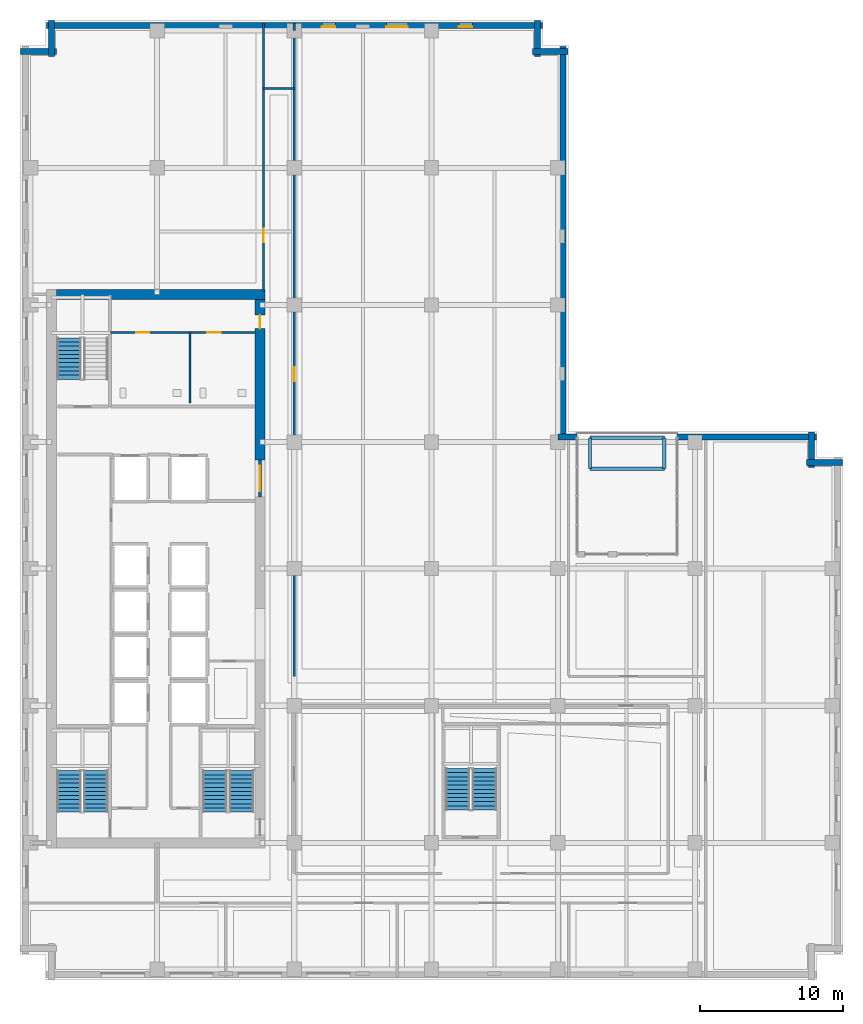
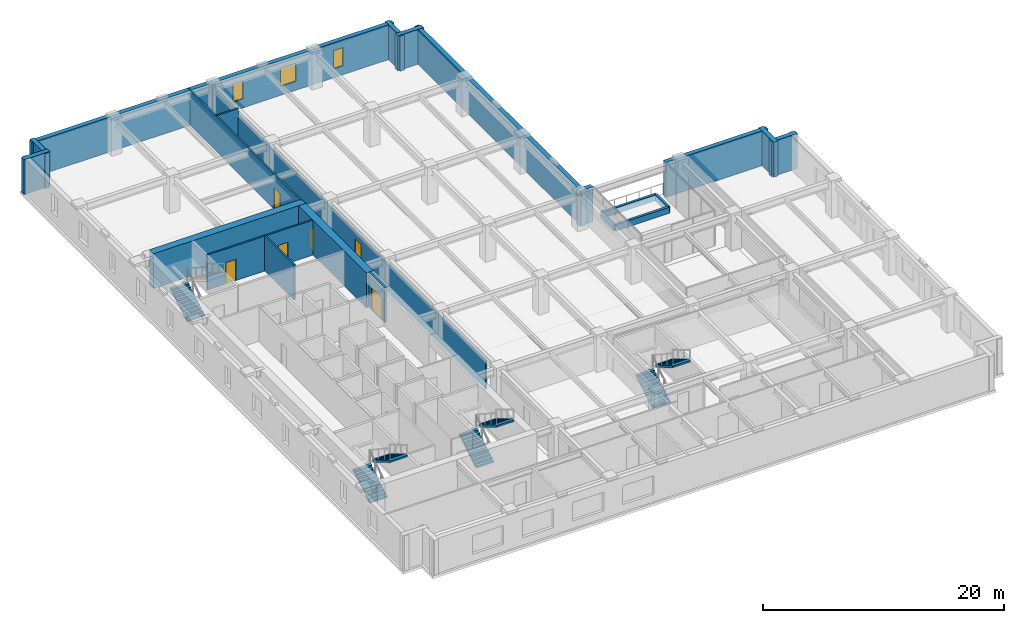
# One storey, part 7 of 16: 23 walls, 7 stair flights, 6 doors, 3 windows, 9 openings, 4 elements without a shape of their own.
"""IFC4 building model written with IfcOpenShell, lengths in metres."""

import ifcopenshell
import ifcopenshell.guid

model = None  # the IFC model being written
_history = None  # IfcOwnerHistory: only IFC2X3 demands one
_inside = {}  # id of a spatial element -> (the spatial element, [elements in it])
_under = {}  # id of a project, library or spatial element -> (it, [spatial elements below it])
_declared = {}  # id of a project -> (the project, [libraries it declares])
_typed = {}  # id of a type object -> (the type object, [elements of that type])
_made_of = {}  # id of a material, layer set ... -> (it, [elements and type objects made of it])


def new_model(schema):
    """Start an empty IFC model of exactly this schema.

    Asked for "IFC4X3", IfcOpenShell would pick the latest addendum, in which some entities
    have other attributes; the version numbers below select the first issue.
    IFC2X3 requires an IfcOwnerHistory on every rooted entity: one is made here for all.
    """
    global model, _history
    if schema == "IFC4X3":
        model = ifcopenshell.file(schema_version=(4, 3, 0, 0))
    else:
        model = ifcopenshell.file(schema=schema)
    _inside.clear()
    _under.clear()
    _declared.clear()
    _typed.clear()
    _made_of.clear()
    _history = None
    if model.schema == "IFC2X3":
        org = make("IfcOrganization", Name="unknown")
        user = make(
            "IfcPersonAndOrganization",
            ThePerson=make("IfcPerson", FamilyName="unknown"),
            TheOrganization=org,
        )
        app = make(
            "IfcApplication",
            ApplicationDeveloper=org,
            Version="unknown",
            ApplicationFullName="unknown",
            ApplicationIdentifier="unknown",
        )
        _history = make(
            "IfcOwnerHistory",
            OwningUser=user,
            OwningApplication=app,
            ChangeAction="ADDED",
            CreationDate=0,
        )
    return model


def make(cls, **values):
    """One entity of the class cls with the attributes given. An attribute that is None is left unset."""
    return model.create_entity(
        cls, **{name: value for name, value in values.items() if value is not None}
    )


def rooted(cls, **values):
    """An entity with a GlobalId (a new one), such as an element, a storey or a relation."""
    return make(cls, GlobalId=ifcopenshell.guid.new(), OwnerHistory=_history, **values)


def si_unit(unit_type, name, prefix=None):
    """IfcSIUnit, for example si_unit("LENGTHUNIT", "METRE", prefix="MILLI")."""
    return make("IfcSIUnit", UnitType=unit_type, Prefix=prefix, Name=name)


def assignment(units):
    """IfcUnitAssignment: the units of a project."""
    return None if units is None else make("IfcUnitAssignment", Units=units)


def point(xyz):
    """IfcCartesianPoint."""
    return None if xyz is None else make("IfcCartesianPoint", Coordinates=xyz)


def direction(xyz):
    """IfcDirection."""
    return None if xyz is None else make("IfcDirection", DirectionRatios=xyz)


def frame(location, z_axis=None, x_axis=None):
    """IfcAxis2Placement3D, a coordinate frame: its origin and axes. An axis left out is left unset."""
    return make(
        "IfcAxis2Placement3D",
        Location=point(location),
        Axis=direction(z_axis),
        RefDirection=direction(x_axis),
    )


def frame_2d(location, x_axis=None):
    """IfcAxis2Placement2D, a coordinate frame in the plane: its origin and x axis."""
    return make(
        "IfcAxis2Placement2D", Location=point(location), RefDirection=direction(x_axis)
    )


def origin():
    """The frame at (0, 0, 0) with its axes left unset."""
    return frame((0.0, 0.0, 0.0))


def place(relative_to, where):
    """IfcLocalPlacement: puts the frame where relative to a parent placement (None: the world)."""
    return make(
        "IfcLocalPlacement", PlacementRelTo=relative_to, RelativePlacement=where
    )


def context(
    kind, dimensions, precision=None, world=None, true_north=None, identifier=None
):
    """IfcGeometricRepresentationContext, for example the 3D "Model" context."""
    return make(
        "IfcGeometricRepresentationContext",
        ContextIdentifier=identifier,
        ContextType=kind,
        CoordinateSpaceDimension=dimensions,
        Precision=precision,
        WorldCoordinateSystem=world,
        TrueNorth=true_north,
    )


def subcontext(parent, identifier, kind, view, scale=None):
    """IfcGeometricRepresentationSubContext, for example "Body" below "Model"."""
    return make(
        "IfcGeometricRepresentationSubContext",
        ContextIdentifier=identifier,
        ContextType=kind,
        ParentContext=parent,
        TargetScale=scale,
        TargetView=view,
    )


def project(units=None, contexts=None):
    """IfcProject with its units and contexts."""
    return rooted(
        "IfcProject",
        Name="project",
        RepresentationContexts=contexts,
        UnitsInContext=assignment(units),
    )


def spatial(cls, under=None, at=None, **own):
    """A site, building, storey or space (cls), placed at a placement, below another one or the project."""
    s = rooted(cls, ObjectPlacement=at, **own)
    if under is not None:
        _under.setdefault(under.id(), (under, []))[1].append(s)
    return s


def polyline(points):
    """IfcPolyline through the points."""
    return make("IfcPolyline", Points=[point(p) for p in points])


def profile(cls, at=None, kind="AREA", **sizes):
    """A parametric profile (cls). Its sizes go by their IFC names, for example OverallWidth=200.0."""
    return make(cls, ProfileType=kind, Position=at, **sizes)


def rectangle(**sizes):
    """IfcRectangleProfileDef."""
    return profile("IfcRectangleProfileDef", **sizes)


def outline(outer, holes=None, kind="AREA"):
    """IfcArbitraryClosedProfileDef: a profile drawn as a closed curve; with holes, ...WithVoids."""
    if holes is None:
        return make("IfcArbitraryClosedProfileDef", ProfileType=kind, OuterCurve=outer)
    return make(
        "IfcArbitraryProfileDefWithVoids",
        ProfileType=kind,
        OuterCurve=outer,
        InnerCurves=holes,
    )


def extrude(swept, where, along, depth):
    """IfcExtrudedAreaSolid: the profile swept, set in the frame where, extruded along a direction by depth."""
    return make(
        "IfcExtrudedAreaSolid",
        SweptArea=swept,
        Position=where,
        ExtrudedDirection=direction(along),
        Depth=depth,
    )


def shape(context_of_items, identifier, shape_type, items):
    """IfcShapeRepresentation: the items that make up one representation, for example the "Body"."""
    return make(
        "IfcShapeRepresentation",
        ContextOfItems=context_of_items,
        RepresentationIdentifier=identifier,
        RepresentationType=shape_type,
        Items=items,
    )


def material(Name=None, Category=None):
    """IfcMaterial."""
    return make("IfcMaterial", Name=Name, Category=Category)


def layer(
    of_material, thickness, ventilated=None, Name=None, Category=None, Priority=None
):
    """IfcMaterialLayer: one layer of a wall or slab, of a material (None: an air gap)."""
    return make(
        "IfcMaterialLayer",
        Material=of_material,
        LayerThickness=thickness,
        IsVentilated=ventilated,
        Name=Name,
        Category=Category,
        Priority=Priority,
    )


def layer_set(layers, Name=None):
    """IfcMaterialLayerSet."""
    return make("IfcMaterialLayerSet", MaterialLayers=layers, LayerSetName=Name)


def made_of(thing, what):
    """Note that an element or type object is made of a material, layer set ...; save() writes the relation."""
    if what is not None:
        _made_of.setdefault(what.id(), (what, []))[1].append(thing)
    return thing


def type_object(cls, material=None, **own):
    """A type object (cls), such as IfcWallType, which elements share."""
    return made_of(rooted(cls, **own), material)


def element(
    cls,
    number,
    at=None,
    inside=None,
    cuts=None,
    type_object=None,
    material=None,
    context=None,
    identifier="Body",
    shape_type=None,
    held_by="IfcProductDefinitionShape",
    body=None,
    shapes=None,
    **own,
):
    """One element of the class cls, such as IfcWall. Its Tag is "e" and its number.

    at: its placement. inside: the storey or other place that contains it. cuts: it is an
    opening in that element (IfcRelVoidsElement). A single representation is given by context,
    identifier, shape_type and body (its items); several are given by shapes. held_by: the class
    of the entity that holds the representations. save() writes the other relations.
    """
    e = rooted(cls, Tag="e%d" % number, ObjectPlacement=at, **own)
    if body is not None:
        shapes = [shape(context, identifier, shape_type, body)]
    if shapes is not None:
        e.Representation = make(held_by, Representations=shapes)
    if inside is not None:
        _inside.setdefault(inside.id(), (inside, []))[1].append(e)
    if cuts is not None:
        rooted(
            "IfcRelVoidsElement", RelatingBuildingElement=cuts, RelatedOpeningElement=e
        )
    if type_object is not None:
        _typed.setdefault(type_object.id(), (type_object, []))[1].append(e)
    return made_of(e, material)


def fill(opening, filler):
    """IfcRelFillsElement: the door or window that sits in an opening."""
    return rooted(
        "IfcRelFillsElement",
        RelatingOpeningElement=opening,
        RelatedBuildingElement=filler,
    )


def aggregate(whole, parts):
    """IfcRelAggregates: a whole, such as a stair, and the parts it consists of."""
    return rooted("IfcRelAggregates", RelatingObject=whole, RelatedObjects=parts)


def save(model, path):
    """Write the relations noted so far, then the file.

    IfcRelAggregates (storeys below a building ...), IfcRelContainedInSpatialStructure (elements
    in a storey), IfcRelDefinesByType, IfcRelAssociatesMaterial and IfcRelDeclares: one each for
    every whole, place, type object, material and project.
    """
    for whole, parts in _under.values():
        aggregate(whole, parts)
    for where, things in _inside.values():
        rooted(
            "IfcRelContainedInSpatialStructure",
            RelatedElements=things,
            RelatingStructure=where,
        )
    for kind, things in _typed.values():
        rooted("IfcRelDefinesByType", RelatedObjects=things, RelatingType=kind)
    for what, things in _made_of.values():
        rooted("IfcRelAssociatesMaterial", RelatedObjects=things, RelatingMaterial=what)
    for by, libraries in _declared.values():
        rooted("IfcRelDeclares", RelatingContext=by, RelatedDefinitions=libraries)
    model.write(path)


model = new_model("IFC4")

# Units and contexts
model_context = context("Model", 3, precision=1e-05, world=origin(), true_north=direction((0.0, 1.0)))
body_context = subcontext(model_context, "Body", "Model", "MODEL_VIEW")
ifc_project = project(units=[si_unit("LENGTHUNIT", "METRE"), si_unit("AREAUNIT", "SQUARE_METRE"), si_unit("VOLUMEUNIT", "CUBIC_METRE"), si_unit("PLANEANGLEUNIT", "RADIAN"), si_unit("MASSUNIT", "GRAM", prefix="KILO")], contexts=[model_context])

# Site, building, storey
site_placement = place(None, origin())
site = spatial("IfcSite", under=ifc_project, at=site_placement, CompositionType="ELEMENT")
building_placement = place(site_placement, origin())
building = spatial("IfcBuilding", under=site, at=building_placement, Name="Norrvale University Quadrangle", CompositionType="ELEMENT")
storey_placement = place(building_placement, frame((0.0, 0.0, 112.800048828125)))
storey = spatial("IfcBuildingStorey", under=building, at=storey_placement, Name="L28", CompositionType="ELEMENT", Elevation=112.800048828125)

# Walls
ifc_material_1 = material(Name="Buff Norman Clay Brick Masonry", Category="masonry")
ifc_layer_1 = layer(ifc_material_1, 0.419921875, Name="Buff Norman Clay Brick Masonry")
ifc_layer_set_1 = layer_set([ifc_layer_1], Name="Buff Norman Clay Brick Masonry")
wall_type_1 = type_object("IfcWallType", Name="Wall Buff Brick 420", PredefinedType="SOLIDWALL", material=ifc_layer_set_1)
for number, where, z_axis, x_axis, name in (
    (1, (57.56005859375, 36.2099609375, 0.0), (0.0, 0.0, 1.0), (-1.0, 0.0, 0.0), "Exterior Brick Facade Wall L28-05.1"),
    (2, (55.409912109375, 35.860107421875, 0.0), (0.0, 0.0, 1.0), (0.0, 1.0, 0.0), "Exterior Brick Facade Wall L28-06.1"),
):
    element("IfcWall", number, at=place(storey_placement, frame(where, z_axis=z_axis, x_axis=x_axis)), inside=storey, type_object=wall_type_1, Name=name, PredefinedType="SOLIDWALL", context=body_context, shape_type="SweptSolid", body=[
        extrude(rectangle(XDim=2.5, YDim=0.419921875, at=frame_2d((1.25, 0.0))), origin(), (0.0, 0.0, 1.0), 3.5400390625),
    ])
wall_1_placement = place(storey_placement, frame((55.760009765625, 38.010009765625, 0.0), z_axis=(0.0, 0.0, 1.0), x_axis=(-1.0, 0.0, 0.0)))
element("IfcWall", 3, at=wall_1_placement, inside=storey, type_object=wall_type_1, Name="Exterior Brick Facade Wall L28-07.1", PredefinedType="SOLIDWALL", context=body_context, shape_type="SweptSolid", body=[
    extrude(rectangle(XDim=9.760009765625, YDim=0.419921875, at=frame_2d((4.8798828125, 0.0))), origin(), (0.0, 0.0, 1.0), 3.5400390625),
])
wall_2_placement = place(storey_placement, frame((39.0, 38.010009765625, 0.0), z_axis=(0.0, 0.0, 1.0), x_axis=(-1.0, 0.0, 0.0)))
element("IfcWall", 4, at=wall_2_placement, inside=storey, type_object=wall_type_1, Name="Exterior Brick Facade Wall L28-07.2", PredefinedType="SOLIDWALL", context=body_context, shape_type="SweptSolid", body=[
    extrude(rectangle(XDim=1.340087890625, YDim=0.419921875, at=frame_2d((0.669921875, 0.0))), origin(), (0.0, 0.0, 1.0), 3.5400390625),
])
wall_3_placement = place(storey_placement, frame((38.010009765625, 37.659912109375, 0.0), z_axis=(0.0, 0.0, 1.0), x_axis=(0.0, 1.0, 0.0)))
element("IfcWall", 5, at=wall_3_placement, inside=storey, type_object=wall_type_1, Name="Exterior Brick Facade Wall L28-08.1", PredefinedType="SOLIDWALL", context=body_context, shape_type="SweptSolid", body=[
    extrude(rectangle(XDim=27.7001953125, YDim=0.419921875, at=frame_2d((13.85009765625, 0.0))), origin(), (0.0, 0.0, 1.0), 3.5400390625),
])
for number, where, z_axis, x_axis, name in (
    (6, (38.360107421875, 65.010009765625, 0.0), (0.0, 0.0, 1.0), (-1.0, 0.0, 0.0), "Exterior Brick Facade Wall L28-09.1"),
    (7, (36.2099609375, 64.659912109375, 0.0), (0.0, 0.0, 1.0), (0.0, 1.0, 0.0), "Exterior Brick Facade Wall L28-10.1"),
):
    element("IfcWall", number, at=place(storey_placement, frame(where, z_axis=z_axis, x_axis=x_axis)), inside=storey, type_object=wall_type_1, Name=name, PredefinedType="SOLIDWALL", context=body_context, shape_type="SweptSolid", body=[
        extrude(rectangle(XDim=2.5, YDim=0.419921875, at=frame_2d((1.25, 0.0))), origin(), (0.0, 0.0, 1.0), 3.5400390625),
    ])

# Wall, openings, windows
wall_4_placement = place(storey_placement, frame((36.56005859375, 66.81005859375, 0.0), z_axis=(0.0, 0.0, 1.0), x_axis=(-1.0, 0.0, 0.0)))
wall_4 = element("IfcWall", 8, at=wall_4_placement, inside=storey, type_object=wall_type_1, Name="Exterior Brick Facade Wall L28-11.1", PredefinedType="SOLIDWALL", context=body_context, shape_type="SweptSolid", body=[
    extrude(rectangle(XDim=34.719970703125, YDim=0.419921875, at=frame_2d((17.35986328125, 0.0))), origin(), (0.0, 0.0, 1.0), 3.5400390625),
])
opening_1_placement = place(wall_4_placement, frame((4.885009765625, 0.0, 0.89990234375)))
opening_1 = element("IfcOpeningElement", 9, at=opening_1_placement, cuts=wall_4, Name="Opening W04", PredefinedType="OPENING", context=body_context, shape_type="SweptSolid", body=[
    extrude(rectangle(XDim=0.949951171875, YDim=1.85009765625, at=frame_2d((0.47509765625, 0.925048828125))), frame((0.0, 0.221923828125, 0.0), z_axis=(0.0, -1.0, 0.0), x_axis=(1.0, 0.0, 0.0)), (0.0, 0.0, 1.0), 0.44384765625),
])
opening_2_placement = place(wall_4_placement, frame((9.409912109375, 0.0, 0.89990234375)))
opening_2 = element("IfcOpeningElement", 10, at=opening_2_placement, cuts=wall_4, Name="Opening W03", PredefinedType="OPENING", context=body_context, shape_type="SweptSolid", body=[
    extrude(rectangle(XDim=1.5, YDim=1.85009765625, at=frame_2d((0.75, 0.925048828125))), frame((0.0, 0.221923828125, 0.0), z_axis=(0.0, -1.0, 0.0), x_axis=(1.0, 0.0, 0.0)), (0.0, 0.0, 1.0), 0.44384765625),
])
opening_3_placement = place(wall_4_placement, frame((14.485107421875, 0.0, 0.89990234375)))
opening_3 = element("IfcOpeningElement", 11, at=opening_3_placement, cuts=wall_4, Name="Opening W04", PredefinedType="OPENING", context=body_context, shape_type="SweptSolid", body=[
    extrude(rectangle(XDim=0.949951171875, YDim=1.85009765625, at=frame_2d((0.47509765625, 0.925048828125))), frame((0.0, 0.221923828125, 0.0), z_axis=(0.0, -1.0, 0.0), x_axis=(1.0, 0.0, 0.0)), (0.0, 0.0, 1.0), 0.44384765625),
])
ifc_material_2 = material(Name="Triple Low-E Argon Glazing", Category="glass")
window_type_1 = type_object("IfcWindowType", Name="Window Narrow Pier 950x2300", PartitioningType="SINGLE_PANEL", PredefinedType="WINDOW", material=ifc_material_2)
window_1_placement = place(opening_1_placement, origin())
window_1 = element("IfcWindow", 12, at=window_1_placement, inside=storey, type_object=window_type_1, Name="Window Narrow Pier 950x2300 WIN-L28-E11-1-01", OverallHeight=1.85009765625, OverallWidth=0.949951171875, PartitioningType="SINGLE_PANEL", PredefinedType="WINDOW", context=body_context, shape_type="SweptSolid", body=[
    extrude(rectangle(XDim=0.949951171875, YDim=1.85009765625, at=frame_2d((0.47509765625, 0.925048828125))), frame((0.0, 0.110107421875, 0.0), z_axis=(0.0, -1.0, 0.0), x_axis=(1.0, 0.0, 0.0)), (0.0, 0.0, 1.0), 0.06005859375),
])
fill(opening_1, window_1)
window_2_placement = place(opening_3_placement, origin())
window_2 = element("IfcWindow", 13, at=window_2_placement, inside=storey, type_object=window_type_1, Name="Window Narrow Pier 950x2300 WIN-L28-E11-1-03", OverallHeight=1.85009765625, OverallWidth=0.949951171875, PartitioningType="SINGLE_PANEL", PredefinedType="WINDOW", context=body_context, shape_type="SweptSolid", body=[
    extrude(rectangle(XDim=0.949951171875, YDim=1.85009765625, at=frame_2d((0.47509765625, 0.925048828125))), frame((0.0, 0.110107421875, 0.0), z_axis=(0.0, -1.0, 0.0), x_axis=(1.0, 0.0, 0.0)), (0.0, 0.0, 1.0), 0.06005859375),
])
fill(opening_3, window_2)
window_type_2 = type_object("IfcWindowType", Name="Window Studio 1500x2300", PartitioningType="DOUBLE_PANEL_VERTICAL", PredefinedType="WINDOW", material=ifc_material_2)
window_3_placement = place(opening_2_placement, origin())
window_3 = element("IfcWindow", 14, at=window_3_placement, inside=storey, type_object=window_type_2, Name="Window Studio 1500x2300 WIN-L28-E11-1-02", OverallHeight=1.85009765625, OverallWidth=1.5, PartitioningType="DOUBLE_PANEL_VERTICAL", PredefinedType="WINDOW", context=body_context, shape_type="SweptSolid", body=[
    extrude(rectangle(XDim=1.5, YDim=1.85009765625, at=frame_2d((0.75, 0.925048828125))), frame((0.0, 0.110107421875, 0.0), z_axis=(0.0, -1.0, 0.0), x_axis=(1.0, 0.0, 0.0)), (0.0, 0.0, 1.0), 0.06005859375),
])
fill(opening_2, window_3)

# Walls
for number, where, z_axis, x_axis, name in (
    (15, (2.18994140625, 67.159912109375, 0.0), (0.0, 0.0, 1.0), (0.0, -1.0, 0.0), "Exterior Brick Facade Wall L28-12.1"),
    (16, (2.5400390625, 65.010009765625, 0.0), (0.0, 0.0, 1.0), (-1.0, 0.0, 0.0), "Exterior Brick Facade Wall L28-13.1"),
):
    element("IfcWall", number, at=place(storey_placement, frame(where, z_axis=z_axis, x_axis=x_axis)), inside=storey, type_object=wall_type_1, Name=name, PredefinedType="SOLIDWALL", context=body_context, shape_type="SweptSolid", body=[
        extrude(rectangle(XDim=2.5, YDim=0.419921875, at=frame_2d((1.25, 0.0))), origin(), (0.0, 0.0, 1.0), 3.5400390625),
    ])
ifc_material_3 = material(Name="Concrete C60/75", Category="concrete")
ifc_layer_2 = layer(ifc_material_3, 0.699951171875, Name="Concrete C60/75")
ifc_layer_set_2 = layer_set([ifc_layer_2], Name="Concrete C60/75")
wall_type_2 = type_object("IfcWallType", Name="Wall Core 700", PredefinedType="SHEAR", material=ifc_layer_set_2)
wall_5_placement = place(storey_placement, frame((2.550048828125, 48.0, 0.0), z_axis=(0.0, 0.0, 1.0), x_axis=(1.0, 0.0, 0.0)))
element("IfcWall", 17, at=wall_5_placement, inside=storey, type_object=wall_type_2, Name="Tower Core Shear Wall L28-N", PredefinedType="SHEAR", context=body_context, shape_type="SweptSolid", body=[
    extrude(rectangle(XDim=14.599853515625, YDim=0.699951171875, at=frame_2d((7.2998046875, 0.0))), origin(), (0.0, 0.0, 1.0), 3.5400390625),
])

# Wall, opening, door
wall_6_placement = place(storey_placement, frame((16.800048828125, 36.39990234375, 0.0), z_axis=(0.0, 0.0, 1.0), x_axis=(0.0, 1.0, 0.0)))
wall_6 = element("IfcWall", 18, at=wall_6_placement, inside=storey, type_object=wall_type_2, Name="Tower Core Shear Wall L28-E3", PredefinedType="SHEAR", context=body_context, shape_type="SweptSolid", body=[
    extrude(rectangle(XDim=11.25, YDim=0.699951171875, at=frame_2d((5.625, 0.0))), origin(), (0.0, 0.0, 1.0), 3.5400390625),
])
opening_4_placement = place(wall_6_placement, frame((9.199951171875, 0.0, 0.0)))
opening_4 = element("IfcOpeningElement", 19, at=opening_4_placement, cuts=wall_6, Name="Opening D07", PredefinedType="OPENING", context=body_context, shape_type="SweptSolid", body=[
    extrude(rectangle(XDim=0.949951171875, YDim=2.14990234375, at=frame_2d((0.47509765625, 1.074951171875))), frame((0.0, 0.362060546875, 0.0), z_axis=(0.0, -1.0, 0.0), x_axis=(1.0, 0.0, 0.0)), (0.0, 0.0, 1.0), 0.723876953125),
])
ifc_material_4 = material(Name="Solid-Core Maple Door", Category="wood")
door_type_1 = type_object("IfcDoorType", Name="Door Office 950x2150", OperationType="NOTDEFINED", PredefinedType="DOOR", material=ifc_material_4)
door_1_placement = place(opening_4_placement, origin())
door_1 = element("IfcDoor", 20, at=door_1_placement, inside=storey, type_object=door_type_1, Name="Door Office 950x2150 DR-L28-NECORR", OperationType="SINGLE_SWING_LEFT", OverallHeight=2.14990234375, OverallWidth=0.949951171875, PredefinedType="DOOR", context=body_context, shape_type="SweptSolid", body=[
    extrude(rectangle(XDim=0.949951171875, YDim=2.14990234375, at=frame_2d((0.47509765625, 1.074951171875))), frame((0.0, 0.02490234375, 0.0), z_axis=(0.0, -1.0, 0.0), x_axis=(1.0, 0.0, 0.0)), (0.0, 0.0, 1.0), 0.050048828125),
])
fill(opening_4, door_1)

# Wall
ifc_material_5 = material(Name="Fire-Rated Gypsum Stud Partition")
ifc_layer_3 = layer(ifc_material_5, 0.14990234375, Name="Fire-Rated Gypsum Stud Partition")
ifc_layer_set_3 = layer_set([ifc_layer_3], Name="Fire-Rated Gypsum Stud Partition")
wall_type_3 = type_object("IfcWallType", Name="Wall Gypsum Corridor 150", PredefinedType="PARTITIONING", material=ifc_layer_set_3)
wall_7_placement = place(storey_placement, frame((17.050048828125, 62.39990234375, 0.0), z_axis=(0.0, 0.0, 1.0), x_axis=(1.0, 0.0, 0.0)))
element("IfcWall", 21, at=wall_7_placement, inside=storey, type_object=wall_type_3, Name="Interior Partition WL-L28-CN-END", PredefinedType="PARTITIONING", context=body_context, shape_type="SweptSolid", body=[
    extrude(rectangle(XDim=2.14990234375, YDim=0.14990234375, at=frame_2d((1.074951171875, 0.0))), origin(), (0.0, 0.0, 1.0), 3.5400390625),
])

# Wall, opening, door
wall_8_placement = place(storey_placement, frame((19.199951171875, 21.25, 0.0), z_axis=(0.0, 0.0, 1.0), x_axis=(0.0, 1.0, 0.0)))
wall_8 = element("IfcWall", 22, at=wall_8_placement, inside=storey, type_object=wall_type_3, Name="Interior Partition WL-L28-NECW", PredefinedType="PARTITIONING", context=body_context, shape_type="SweptSolid", body=[
    extrude(rectangle(XDim=45.199951171875, YDim=0.14990234375, at=frame_2d((22.60009765625, 0.0))), origin(), (0.0, 0.0, 1.0), 2.844970703125),
])
opening_5_placement = place(wall_8_placement, frame((20.675048828125, 0.0, 0.0)))
opening_5 = element("IfcOpeningElement", 23, at=opening_5_placement, cuts=wall_8, Name="Opening D07", PredefinedType="OPENING", context=body_context, shape_type="SweptSolid", body=[
    extrude(rectangle(XDim=0.949951171875, YDim=2.14990234375, at=frame_2d((0.47509765625, 1.074951171875))), frame((0.0, 0.0869140625, 0.0), z_axis=(0.0, -1.0, 0.0), x_axis=(1.0, 0.0, 0.0)), (0.0, 0.0, 1.0), 0.173828125),
])
door_2_placement = place(opening_5_placement, origin())
door_2 = element("IfcDoor", 24, at=door_2_placement, inside=storey, type_object=door_type_1, Name="Door Office 950x2150 DR-L28-NE01", OperationType="SINGLE_SWING_RIGHT", OverallHeight=2.14990234375, OverallWidth=0.949951171875, PredefinedType="DOOR", context=body_context, shape_type="SweptSolid", body=[
    extrude(rectangle(XDim=0.949951171875, YDim=2.14990234375, at=frame_2d((0.47509765625, 1.074951171875))), frame((0.0, 0.02490234375, 0.0), z_axis=(0.0, -1.0, 0.0), x_axis=(1.0, 0.0, 0.0)), (0.0, 0.0, 1.0), 0.050048828125),
])
fill(opening_5, door_2)

# Wall
wall_9_placement = place(storey_placement, frame((19.199951171875, 66.449951171875, 0.0), z_axis=(0.0, 0.0, 1.0), x_axis=(0.0, 1.0, 0.0)))
element("IfcWall", 25, at=wall_9_placement, inside=storey, type_object=wall_type_3, Name="Interior Partition WL-L28-NECW-B2", PredefinedType="PARTITIONING", context=body_context, shape_type="SweptSolid", body=[
    extrude(rectangle(XDim=0.530029296875, YDim=0.14990234375, at=frame_2d((0.26513671875, 0.0))), origin(), (0.0, 0.0, 1.0), 3.5400390625),
])

# Wall, opening, door
wall_10_placement = place(storey_placement, frame((17.050048828125, 48.25, 0.0), z_axis=(0.0, 0.0, 1.0), x_axis=(0.0, 1.0, 0.0)))
wall_10 = element("IfcWall", 26, at=wall_10_placement, inside=storey, type_object=wall_type_3, Name="Interior Partition WL-L28-NWCW", PredefinedType="PARTITIONING", context=body_context, shape_type="SweptSolid", body=[
    extrude(rectangle(XDim=18.72998046875, YDim=0.14990234375, at=frame_2d((9.364990234375, 0.0))), origin(), (0.0, 0.0, 1.0), 3.5400390625),
])
opening_6_placement = place(wall_10_placement, frame((3.39990234375, 0.0, 0.0)))
opening_6 = element("IfcOpeningElement", 27, at=opening_6_placement, cuts=wall_10, Name="Opening D07", PredefinedType="OPENING", context=body_context, shape_type="SweptSolid", body=[
    extrude(rectangle(XDim=0.949951171875, YDim=2.14990234375, at=frame_2d((0.47509765625, 1.074951171875))), frame((0.0, 0.0869140625, 0.0), z_axis=(0.0, -1.0, 0.0), x_axis=(1.0, 0.0, 0.0)), (0.0, 0.0, 1.0), 0.173828125),
])
door_3_placement = place(opening_6_placement, origin())
door_3 = element("IfcDoor", 28, at=door_3_placement, inside=storey, type_object=door_type_1, Name="Door Office 950x2150 DR-L28-NW01", OperationType="SINGLE_SWING_RIGHT", OverallHeight=2.14990234375, OverallWidth=0.949951171875, PredefinedType="DOOR", context=body_context, shape_type="SweptSolid", body=[
    extrude(rectangle(XDim=0.949951171875, YDim=2.14990234375, at=frame_2d((0.47509765625, 1.074951171875))), frame((0.0, 0.02490234375, 0.0), z_axis=(0.0, -1.0, 0.0), x_axis=(1.0, 0.0, 0.0)), (0.0, 0.0, 1.0), 0.050048828125),
])
fill(opening_6, door_3)

# Wall, openings, doors
ifc_material_6 = material(Name="Sanitary Chase Gypsum Partition")
ifc_layer_4 = layer(ifc_material_6, 0.1650390625, Name="Sanitary Chase Gypsum Partition")
ifc_layer_set_4 = layer_set([ifc_layer_4], Name="Sanitary Chase Gypsum Partition")
wall_type_4 = type_object("IfcWallType", Name="Wall Gypsum Sanitary 165", PredefinedType="PLUMBINGWALL", material=ifc_layer_set_4)
wall_11_placement = place(storey_placement, frame((6.320068359375, 45.320068359375, 0.0), z_axis=(0.0, 0.0, 1.0), x_axis=(1.0, 0.0, 0.0)))
wall_11 = element("IfcWall", 29, at=wall_11_placement, inside=storey, type_object=wall_type_4, Name="Interior Partition WL-L28-WCN", PredefinedType="PLUMBINGWALL", context=body_context, shape_type="SweptSolid", body=[
    extrude(rectangle(XDim=10.1298828125, YDim=0.1650390625, at=frame_2d((5.06494140625, 0.0))), origin(), (0.0, 0.0, 1.0), 3.5400390625),
])
opening_7_placement = place(wall_11_placement, frame((1.800048828125, 0.0, 0.0)))
opening_7 = element("IfcOpeningElement", 30, at=opening_7_placement, cuts=wall_11, Name="Opening D08", PredefinedType="OPENING", context=body_context, shape_type="SweptSolid", body=[
    extrude(rectangle(XDim=0.919921875, YDim=2.14990234375, at=frame_2d((0.4599609375, 1.074951171875))), frame((0.0, 0.094482421875, 0.0), z_axis=(0.0, -1.0, 0.0), x_axis=(1.0, 0.0, 0.0)), (0.0, 0.0, 1.0), 0.18896484375),
])
opening_8_placement = place(wall_11_placement, frame((6.800048828125, 0.0, 0.0)))
opening_8 = element("IfcOpeningElement", 31, at=opening_8_placement, cuts=wall_11, Name="Opening D08", PredefinedType="OPENING", context=body_context, shape_type="SweptSolid", body=[
    extrude(rectangle(XDim=0.919921875, YDim=2.14990234375, at=frame_2d((0.4599609375, 1.074951171875))), frame((0.0, 0.094482421875, 0.0), z_axis=(0.0, -1.0, 0.0), x_axis=(1.0, 0.0, 0.0)), (0.0, 0.0, 1.0), 0.18896484375),
])
ifc_material_7 = material(Name="Laminate Washroom Door", Category="wood")
door_type_2 = type_object("IfcDoorType", Name="Door Washroom 920x2150", OperationType="NOTDEFINED", PredefinedType="DOOR", material=ifc_material_7)
door_4_placement = place(opening_7_placement, origin())
door_4 = element("IfcDoor", 32, at=door_4_placement, inside=storey, type_object=door_type_2, Name="Door Washroom 920x2150 DR-L28-WC1", OperationType="SINGLE_SWING_LEFT", OverallHeight=2.14990234375, OverallWidth=0.919921875, PredefinedType="DOOR", context=body_context, shape_type="SweptSolid", body=[
    extrude(rectangle(XDim=0.919921875, YDim=2.14990234375, at=frame_2d((0.4599609375, 1.074951171875))), frame((0.0, 0.02490234375, 0.0), z_axis=(0.0, -1.0, 0.0), x_axis=(1.0, 0.0, 0.0)), (0.0, 0.0, 1.0), 0.050048828125),
])
fill(opening_7, door_4)
door_5_placement = place(opening_8_placement, origin())
door_5 = element("IfcDoor", 33, at=door_5_placement, inside=storey, type_object=door_type_2, Name="Door Washroom 920x2150 DR-L28-WC2", OperationType="SINGLE_SWING_RIGHT", OverallHeight=2.14990234375, OverallWidth=0.919921875, PredefinedType="DOOR", context=body_context, shape_type="SweptSolid", body=[
    extrude(rectangle(XDim=0.919921875, YDim=2.14990234375, at=frame_2d((0.4599609375, 1.074951171875))), frame((0.0, 0.02490234375, 0.0), z_axis=(0.0, -1.0, 0.0), x_axis=(1.0, 0.0, 0.0)), (0.0, 0.0, 1.0), 0.050048828125),
])
fill(opening_8, door_5)

# Wall
wall_12_placement = place(storey_placement, frame((11.89990234375, 40.39990234375, 0.0), z_axis=(0.0, 0.0, 1.0), x_axis=(0.0, 1.0, 0.0)))
element("IfcWall", 34, at=wall_12_placement, inside=storey, type_object=wall_type_4, Name="Interior Partition WL-L28-WCM1", PredefinedType="PLUMBINGWALL", context=body_context, shape_type="SweptSolid", body=[
    extrude(rectangle(XDim=4.920166015625, YDim=0.1650390625, at=frame_2d((2.4599609375, 0.0))), origin(), (0.0, 0.0, 1.0), 3.5400390625),
])

# Wall, opening, door
ifc_material_8 = material(Name="Concrete Blockwork 20 MPa Rated Wall", Category="masonry")
ifc_layer_5 = layer(ifc_material_8, 0.199951171875, Name="Concrete Blockwork 20 MPa Rated Wall")
ifc_layer_set_5 = layer_set([ifc_layer_5], Name="Concrete Blockwork 20 MPa Rated Wall")
wall_type_5 = type_object("IfcWallType", Name="Wall Lobby 200", PredefinedType="SOLIDWALL", material=ifc_layer_set_5)
wall_13_placement = place(storey_placement, frame((16.800048828125, 33.800048828125, 0.0), z_axis=(0.0, 0.0, 1.0), x_axis=(0.0, 1.0, 0.0)))
wall_13 = element("IfcWall", 35, at=wall_13_placement, inside=storey, type_object=wall_type_5, Name="Interior Partition WL-L28-FFP", PredefinedType="SOLIDWALL", context=body_context, shape_type="SweptSolid", body=[
    extrude(rectangle(XDim=2.599853515625, YDim=0.199951171875, at=frame_2d((1.2998046875, 0.0))), origin(), (0.0, 0.0, 1.0), 3.5400390625),
])
opening_9_placement = place(wall_13_placement, frame((0.39990234375, 0.0, 0.0)))
opening_9 = element("IfcOpeningElement", 36, at=opening_9_placement, cuts=wall_13, Name="Opening D03", PredefinedType="OPENING", context=body_context, shape_type="SweptSolid", body=[
    extrude(rectangle(XDim=1.800048828125, YDim=2.199951171875, at=frame_2d((0.89990234375, 1.10009765625))), frame((0.0, 0.112060546875, 0.0), z_axis=(0.0, -1.0, 0.0), x_axis=(1.0, 0.0, 0.0)), (0.0, 0.0, 1.0), 0.223876953125),
])
ifc_material_9 = material(Name="Hollow Steel 350W Fire Door", Category="steel")
door_type_3 = type_object("IfcDoorType", Name="Door Fire Lobby 1800x2200", OperationType="DOUBLE_DOOR_SINGLE_SWING", PredefinedType="DOOR", material=ifc_material_9)
door_6_placement = place(opening_9_placement, origin())
door_6 = element("IfcDoor", 37, at=door_6_placement, inside=storey, type_object=door_type_3, Name="Door Fire Lobby 1800x2200 DR-L28-FFP", OperationType="DOUBLE_DOOR_SINGLE_SWING", OverallHeight=2.199951171875, OverallWidth=1.800048828125, PredefinedType="DOOR", context=body_context, shape_type="SweptSolid", body=[
    extrude(rectangle(XDim=1.800048828125, YDim=2.199951171875, at=frame_2d((0.89990234375, 1.10009765625))), frame((0.0, 0.02490234375, 0.0), z_axis=(0.0, -1.0, 0.0), x_axis=(1.0, 0.0, 0.0)), (0.0, 0.0, 1.0), 0.050048828125),
])
fill(opening_9, door_6)

# Walls
ifc_layer_6 = layer(ifc_material_1, 0.239990234375, Name="Buff Norman Clay Brick Masonry")
ifc_layer_set_6 = layer_set([ifc_layer_6], Name="Buff Norman Clay Brick Masonry")
wall_type_6 = type_object("IfcWallType", Name="Wall Planter 240", PredefinedType="USERDEFINED", material=ifc_layer_set_6)
for number, where, z_axis, x_axis, name in (
    (38, (39.89990234375, 35.800048828125, 0.0), (0.0, 0.0, 1.0), (0.0, 1.0, 0.0), "Sky Garden Planter Curb L28-W"),
    (39, (45.10009765625, 35.800048828125, 0.0), (0.0, 0.0, 1.0), (0.0, 1.0, 0.0), "Sky Garden Planter Curb L28-E"),
):
    element("IfcWall", number, at=place(storey_placement, frame(where, z_axis=z_axis, x_axis=x_axis)), inside=storey, type_object=wall_type_6, Name=name, ObjectType="PLANTER", PredefinedType="USERDEFINED", context=body_context, shape_type="SweptSolid", body=[
        extrude(rectangle(XDim=2.14990234375, YDim=0.239990234375, at=frame_2d((1.074951171875, 0.0))), origin(), (0.0, 0.0, 1.0), 0.619873046875),
    ])
for number, where, z_axis, x_axis, name in (
    (40, (39.89990234375, 35.800048828125, 0.0), (0.0, 0.0, 1.0), (1.0, 0.0, 0.0), "Sky Garden Planter Curb L28-S"),
    (41, (39.89990234375, 37.949951171875, 0.0), (0.0, 0.0, 1.0), (1.0, 0.0, 0.0), "Sky Garden Planter Curb L28-N"),
):
    element("IfcWall", number, at=place(storey_placement, frame(where, z_axis=z_axis, x_axis=x_axis)), inside=storey, type_object=wall_type_6, Name=name, ObjectType="PLANTER", PredefinedType="USERDEFINED", context=body_context, shape_type="SweptSolid", body=[
        extrude(rectangle(XDim=5.2001953125, YDim=0.239990234375, at=frame_2d((2.60009765625, 0.0))), origin(), (0.0, 0.0, 1.0), 0.619873046875),
    ])

# Stair, stair flights
ifc_material_10 = material(Name="Concrete C40/50", Category="concrete")
stair_type = type_object("IfcStairType", Name="Stair Tower Typ 3800", PredefinedType="TWO_STRAIGHT_RUN_STAIR", material=ifc_material_10)
stair_1_placement = place(storey_placement, origin())
stair_1 = element("IfcStair", 42, at=stair_1_placement, inside=storey, type_object=stair_type, Name="Exit Stair ST-01 L28", PredefinedType="TWO_STRAIGHT_RUN_STAIR")
stair_flight_type = type_object("IfcStairFlightType", Name="Flight Typ 1500", PredefinedType="STRAIGHT", material=ifc_material_10)
stair_flight_1_placement = place(storey_placement, frame((3.429931640625, 11.75, 0.0), z_axis=(0.0, 0.0, 1.0), x_axis=(0.0, 1.0, 0.0)))
stair_flight_1 = element("IfcStairFlight", 43, at=stair_flight_1_placement, type_object=stair_flight_type, Name="Exit Stair ST-01 L28 Lower Flight", NumberOfRisers=11, NumberOfTreads=10, PredefinedType="STRAIGHT", RiserHeight=0.172727, TreadLength=0.29, context=body_context, shape_type="SweptSolid", body=[
    extrude(outline(polyline([(0.0, 0.0), (0.0, 0.172607421875), (0.2900390625, 0.172607421875), (0.2900390625, 0.345458984375), (0.580078125, 0.345458984375), (0.580078125, 0.51806640625), (0.8701171875, 0.51806640625), (0.8701171875, 0.69091796875), (1.159912109375, 0.69091796875), (1.159912109375, 0.863525390625), (1.449951171875, 0.863525390625), (1.449951171875, 1.036376953125), (1.739990234375, 1.036376953125), (1.739990234375, 1.208984375), (2.030029296875, 1.208984375), (2.030029296875, 1.3818359375), (2.320068359375, 1.3818359375), (2.320068359375, 1.554443359375), (2.610107421875, 1.554443359375), (2.610107421875, 1.727294921875), (2.89990234375, 1.727294921875), (2.89990234375, 1.89990234375), (2.89990234375, 1.552734375), (0.29296875, 0.0), (0.0, 0.0)])), frame((0.0, 0.83984375, 0.0), z_axis=(0.0, -1.0, 0.0), x_axis=(1.0, 0.0, 0.0)), (0.0, 0.0, 1.0), 1.679931640625),
])
stair_flight_2_placement = place(storey_placement, frame((5.320068359375, 14.64990234375, 1.89990234375), z_axis=(0.0, 0.0, 1.0), x_axis=(0.0, -1.0, 0.0)))
stair_flight_2 = element("IfcStairFlight", 44, at=stair_flight_2_placement, type_object=stair_flight_type, Name="Exit Stair ST-01 L28 Upper Flight", NumberOfRisers=11, NumberOfTreads=10, PredefinedType="STRAIGHT", RiserHeight=0.172727, TreadLength=0.29, context=body_context, shape_type="SweptSolid", body=[
    extrude(outline(polyline([(0.0, 0.0), (0.0, 0.172607421875), (0.2900390625, 0.172607421875), (0.2900390625, 0.345458984375), (0.580078125, 0.345458984375), (0.580078125, 0.51806640625), (0.8701171875, 0.51806640625), (0.8701171875, 0.69091796875), (1.159912109375, 0.69091796875), (1.159912109375, 0.863525390625), (1.449951171875, 0.863525390625), (1.449951171875, 1.036376953125), (1.739990234375, 1.036376953125), (1.739990234375, 1.208984375), (2.030029296875, 1.208984375), (2.030029296875, 1.3818359375), (2.320068359375, 1.3818359375), (2.320068359375, 1.554443359375), (2.610107421875, 1.554443359375), (2.610107421875, 1.727294921875), (2.89990234375, 1.727294921875), (2.89990234375, 1.89990234375), (2.89990234375, 1.552734375), (0.29296875, 0.0), (0.0, 0.0)])), frame((0.0, 0.83984375, 0.0), z_axis=(0.0, -1.0, 0.0), x_axis=(1.0, 0.0, 0.0)), (0.0, 0.0, 1.0), 1.679931640625),
])
aggregate(stair_1, [stair_flight_1, stair_flight_2])

# Stair, stair flight
stair_2_placement = place(storey_placement, origin())
stair_2 = element("IfcStair", 45, at=stair_2_placement, inside=storey, type_object=stair_type, Name="Exit Stair ST-02 L28", PredefinedType="TWO_STRAIGHT_RUN_STAIR")
stair_flight_3_placement = place(storey_placement, frame((3.429931640625, 42.050048828125, 0.0), z_axis=(0.0, 0.0, 1.0), x_axis=(0.0, 1.0, 0.0)))
stair_flight_3 = element("IfcStairFlight", 46, at=stair_flight_3_placement, type_object=stair_flight_type, Name="Exit Stair ST-02 L28 Lower Flight", NumberOfRisers=11, NumberOfTreads=10, PredefinedType="STRAIGHT", RiserHeight=0.172727, TreadLength=0.29, context=body_context, shape_type="SweptSolid", body=[
    extrude(outline(polyline([(0.0, 0.0), (0.0, 0.172607421875), (0.2900390625, 0.172607421875), (0.2900390625, 0.345458984375), (0.580078125, 0.345458984375), (0.580078125, 0.51806640625), (0.8701171875, 0.51806640625), (0.8701171875, 0.69091796875), (1.159912109375, 0.69091796875), (1.159912109375, 0.863525390625), (1.449951171875, 0.863525390625), (1.449951171875, 1.036376953125), (1.739990234375, 1.036376953125), (1.739990234375, 1.208984375), (2.030029296875, 1.208984375), (2.030029296875, 1.3818359375), (2.320068359375, 1.3818359375), (2.320068359375, 1.554443359375), (2.610107421875, 1.554443359375), (2.610107421875, 1.727294921875), (2.89990234375, 1.727294921875), (2.89990234375, 1.89990234375), (2.89990234375, 1.552734375), (0.29296875, 0.0), (0.0, 0.0)])), frame((0.0, 0.83984375, 0.0), z_axis=(0.0, -1.0, 0.0), x_axis=(1.0, 0.0, 0.0)), (0.0, 0.0, 1.0), 1.679931640625),
])
aggregate(stair_2, [stair_flight_3])

# Stair, stair flights
stair_3_placement = place(storey_placement, origin())
stair_3 = element("IfcStair", 47, at=stair_3_placement, inside=storey, type_object=stair_type, Name="Exit Stair ST-03 L28", PredefinedType="TWO_STRAIGHT_RUN_STAIR")
stair_flight_4_placement = place(storey_placement, frame((13.6298828125, 11.75, 0.0), z_axis=(0.0, 0.0, 1.0), x_axis=(0.0, 1.0, 0.0)))
stair_flight_4 = element("IfcStairFlight", 48, at=stair_flight_4_placement, type_object=stair_flight_type, Name="Exit Stair ST-03 L28 Lower Flight", NumberOfRisers=11, NumberOfTreads=10, PredefinedType="STRAIGHT", RiserHeight=0.172727, TreadLength=0.29, context=body_context, shape_type="SweptSolid", body=[
    extrude(outline(polyline([(0.0, 0.0), (0.0, 0.172607421875), (0.2900390625, 0.172607421875), (0.2900390625, 0.345458984375), (0.580078125, 0.345458984375), (0.580078125, 0.51806640625), (0.8701171875, 0.51806640625), (0.8701171875, 0.69091796875), (1.159912109375, 0.69091796875), (1.159912109375, 0.863525390625), (1.449951171875, 0.863525390625), (1.449951171875, 1.036376953125), (1.739990234375, 1.036376953125), (1.739990234375, 1.208984375), (2.030029296875, 1.208984375), (2.030029296875, 1.3818359375), (2.320068359375, 1.3818359375), (2.320068359375, 1.554443359375), (2.610107421875, 1.554443359375), (2.610107421875, 1.727294921875), (2.89990234375, 1.727294921875), (2.89990234375, 1.89990234375), (2.89990234375, 1.552734375), (0.29296875, 0.0), (0.0, 0.0)])), frame((0.0, 0.83984375, 0.0), z_axis=(0.0, -1.0, 0.0), x_axis=(1.0, 0.0, 0.0)), (0.0, 0.0, 1.0), 1.679931640625),
])
stair_flight_5_placement = place(storey_placement, frame((15.52001953125, 14.64990234375, 1.89990234375), z_axis=(0.0, 0.0, 1.0), x_axis=(0.0, -1.0, 0.0)))
stair_flight_5 = element("IfcStairFlight", 49, at=stair_flight_5_placement, type_object=stair_flight_type, Name="Exit Stair ST-03 L28 Upper Flight", NumberOfRisers=11, NumberOfTreads=10, PredefinedType="STRAIGHT", RiserHeight=0.172727, TreadLength=0.29, context=body_context, shape_type="SweptSolid", body=[
    extrude(outline(polyline([(0.0, 0.0), (0.0, 0.172607421875), (0.2900390625, 0.172607421875), (0.2900390625, 0.345458984375), (0.580078125, 0.345458984375), (0.580078125, 0.51806640625), (0.8701171875, 0.51806640625), (0.8701171875, 0.69091796875), (1.159912109375, 0.69091796875), (1.159912109375, 0.863525390625), (1.449951171875, 0.863525390625), (1.449951171875, 1.036376953125), (1.739990234375, 1.036376953125), (1.739990234375, 1.208984375), (2.030029296875, 1.208984375), (2.030029296875, 1.3818359375), (2.320068359375, 1.3818359375), (2.320068359375, 1.554443359375), (2.610107421875, 1.554443359375), (2.610107421875, 1.727294921875), (2.89990234375, 1.727294921875), (2.89990234375, 1.89990234375), (2.89990234375, 1.552734375), (0.29296875, 0.0), (0.0, 0.0)])), frame((0.0, 0.83984375, 0.0), z_axis=(0.0, -1.0, 0.0), x_axis=(1.0, 0.0, 0.0)), (0.0, 0.0, 1.0), 1.679931640625),
])
aggregate(stair_3, [stair_flight_4, stair_flight_5])

stair_4_placement = place(storey_placement, origin())
stair_4 = element("IfcStair", 50, at=stair_4_placement, inside=storey, type_object=stair_type, Name="Exit Stair ST-04 L28", PredefinedType="TWO_STRAIGHT_RUN_STAIR")
stair_flight_6_placement = place(storey_placement, frame((30.6298828125, 11.89990234375, 0.0), z_axis=(0.0, 0.0, 1.0), x_axis=(0.0, 1.0, 0.0)))
stair_flight_6 = element("IfcStairFlight", 51, at=stair_flight_6_placement, type_object=stair_flight_type, Name="Exit Stair ST-04 L28 Lower Flight", NumberOfRisers=11, NumberOfTreads=10, PredefinedType="STRAIGHT", RiserHeight=0.172727, TreadLength=0.29, context=body_context, shape_type="SweptSolid", body=[
    extrude(outline(polyline([(0.0, 0.0), (0.0, 0.172607421875), (0.2900390625, 0.172607421875), (0.2900390625, 0.345458984375), (0.580078125, 0.345458984375), (0.580078125, 0.51806640625), (0.8701171875, 0.51806640625), (0.8701171875, 0.69091796875), (1.159912109375, 0.69091796875), (1.159912109375, 0.863525390625), (1.449951171875, 0.863525390625), (1.449951171875, 1.036376953125), (1.739990234375, 1.036376953125), (1.739990234375, 1.208984375), (2.030029296875, 1.208984375), (2.030029296875, 1.3818359375), (2.320068359375, 1.3818359375), (2.320068359375, 1.554443359375), (2.610107421875, 1.554443359375), (2.610107421875, 1.727294921875), (2.89990234375, 1.727294921875), (2.89990234375, 1.89990234375), (2.89990234375, 1.552734375), (0.29296875, 0.0), (0.0, 0.0)])), frame((0.0, 0.83984375, 0.0), z_axis=(0.0, -1.0, 0.0), x_axis=(1.0, 0.0, 0.0)), (0.0, 0.0, 1.0), 1.679931640625),
])
stair_flight_7_placement = place(storey_placement, frame((32.52001953125, 14.800048828125, 1.89990234375), z_axis=(0.0, 0.0, 1.0), x_axis=(0.0, -1.0, 0.0)))
stair_flight_7 = element("IfcStairFlight", 52, at=stair_flight_7_placement, type_object=stair_flight_type, Name="Exit Stair ST-04 L28 Upper Flight", NumberOfRisers=11, NumberOfTreads=10, PredefinedType="STRAIGHT", RiserHeight=0.172727, TreadLength=0.29, context=body_context, shape_type="SweptSolid", body=[
    extrude(outline(polyline([(0.0, 0.0), (0.0, 0.172607421875), (0.2900390625, 0.172607421875), (0.2900390625, 0.345458984375), (0.580078125, 0.345458984375), (0.580078125, 0.51806640625), (0.8701171875, 0.51806640625), (0.8701171875, 0.69091796875), (1.159912109375, 0.69091796875), (1.159912109375, 0.863525390625), (1.449951171875, 0.863525390625), (1.449951171875, 1.036376953125), (1.739990234375, 1.036376953125), (1.739990234375, 1.208984375), (2.030029296875, 1.208984375), (2.030029296875, 1.3818359375), (2.320068359375, 1.3818359375), (2.320068359375, 1.554443359375), (2.610107421875, 1.554443359375), (2.610107421875, 1.727294921875), (2.89990234375, 1.727294921875), (2.89990234375, 1.89990234375), (2.89990234375, 1.552734375), (0.29296875, 0.0), (0.0, 0.0)])), frame((0.0, 0.83984375, 0.0), z_axis=(0.0, -1.0, 0.0), x_axis=(1.0, 0.0, 0.0)), (0.0, 0.0, 1.0), 1.679931640625),
])
aggregate(stair_4, [stair_flight_6, stair_flight_7])

save(model, "model.ifc")
